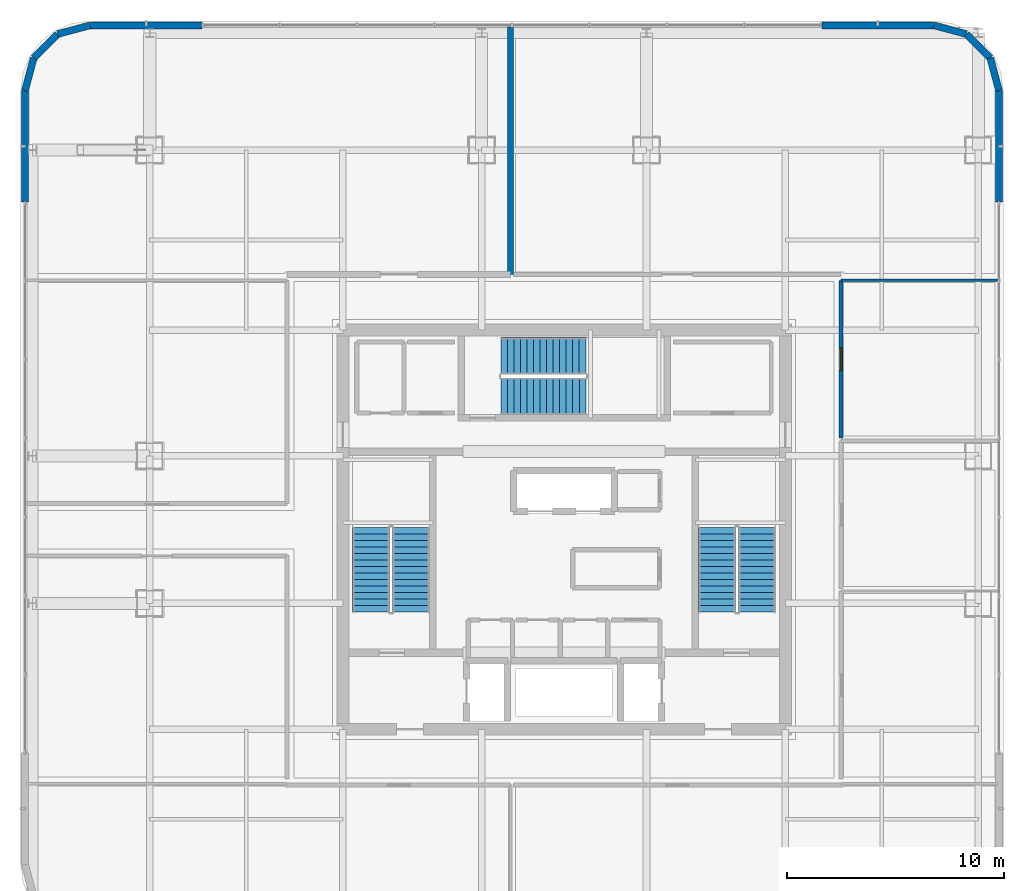
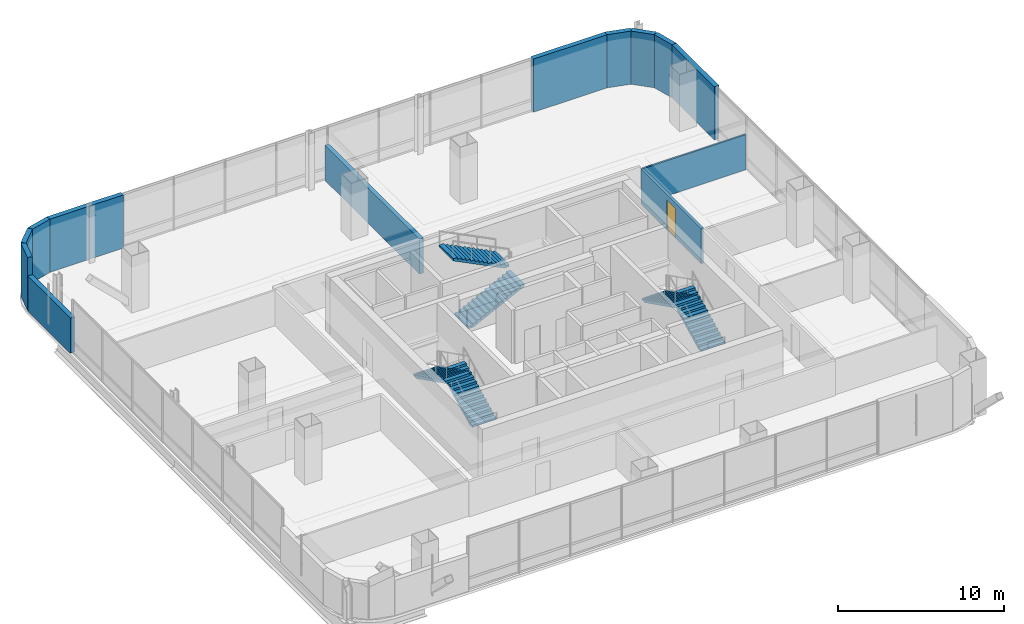
# One storey, part 36 of 51: 13 walls, 6 stair flights, 1 door, 1 opening, 3 elements without a shape of their own.
"""IFC4 building model written with IfcOpenShell, lengths in metres."""

from ifc_helpers import new_model, si_unit, direction, frame, frame_2d, origin, place, context, subcontext, project, spatial, polyline, rectangle, outline, extrude, material, layer, layer_set, type_object, element, fill, aggregate, save


model = new_model("IFC4")

# Units and contexts
model_context = context("Model", 3, precision=1e-05, world=origin(), true_north=direction((0.0, 1.0)))
body_context = subcontext(model_context, "Body", "Model", "MODEL_VIEW")
ifc_project = project(units=[si_unit("LENGTHUNIT", "METRE"), si_unit("AREAUNIT", "SQUARE_METRE"), si_unit("VOLUMEUNIT", "CUBIC_METRE"), si_unit("PLANEANGLEUNIT", "RADIAN"), si_unit("MASSUNIT", "GRAM", prefix="KILO")], contexts=[model_context])

# Site, building, storey
site_placement = place(None, origin())
site = spatial("IfcSite", under=ifc_project, at=site_placement, CompositionType="ELEMENT")
building_placement = place(site_placement, origin())
building = spatial("IfcBuilding", under=site, at=building_placement, Name="Punatoya Terracotta Tower", CompositionType="ELEMENT")
storey_placement = place(building_placement, frame((0.0, 0.0, 313.199951171875)))
storey = spatial("IfcBuildingStorey", under=building, at=storey_placement, Name="L74", CompositionType="ELEMENT", Elevation=313.199951171875)

# Wall
ifc_material_1 = material(Name="Concrete C40/50", Category="concrete")
ifc_layer_1 = layer(ifc_material_1, 0.280029296875)
ifc_layer_set_1 = layer_set([ifc_layer_1], Name="Concrete C40/50")
wall_type_1 = type_object("IfcWallType", Name="WL-AUD-280", PredefinedType="SOLIDWALL", material=ifc_layer_set_1)
wall_1_placement = place(storey_placement, frame((-2.4599609375, 23.169921875, 0.0), z_axis=(0.0, 0.0, 1.0), x_axis=(0.0, -1.0, 0.0)))
element("IfcWall", 1, at=wall_1_placement, inside=storey, type_object=wall_type_1, Name="L74 Fitness Movement Lounge Partition 42", PredefinedType="SOLIDWALL", context=body_context, shape_type="SweptSolid", body=[
    extrude(rectangle(XDim=11.39990234375, YDim=0.280029296875, at=frame_2d((5.699951171875, 0.0))), origin(), (0.0, 0.0, 1.0), 2.593994140625),
])

# Wall, opening, door
ifc_material_2 = material(Name="Gypsum Fireboard + Steel Stud", Category="steel")
ifc_layer_2 = layer(ifc_material_2, 0.179931640625)
ifc_layer_set_2 = layer_set([ifc_layer_2], Name="Gypsum Fireboard + Steel Stud")
wall_type_2 = type_object("IfcWallType", Name="WL-CORR-180", PredefinedType="PARTITIONING", material=ifc_layer_set_2)
wall_2_placement = place(storey_placement, frame((12.77001953125, 4.218017578125, 0.0), z_axis=(0.0, 0.0, 1.0), x_axis=(0.0, 1.0, 0.0)))
wall_2 = element("IfcWall", 2, at=wall_2_placement, inside=storey, type_object=wall_type_2, Name="L74 Cultural Reading Library Partition 41", PredefinedType="PARTITIONING", context=body_context, shape_type="SweptSolid", body=[
    extrude(rectangle(XDim=7.27197265625, YDim=0.179931640625, at=frame_2d((3.635986328125, 0.0))), origin(), (0.0, 0.0, 1.0), 2.593994140625),
])
opening_placement = place(wall_2_placement, frame((3.111083984375, 0.0, 0.0)))
opening = element("IfcOpeningElement", 3, at=opening_placement, cuts=wall_2, Name="Opening OD-01", PredefinedType="OPENING", context=body_context, shape_type="SweptSolid", body=[
    extrude(rectangle(XDim=1.050048828125, YDim=2.199951171875, at=frame_2d((0.52490234375, 1.10009765625))), frame((0.0, 0.099853515625, 0.0), z_axis=(0.0, -1.0, 0.0), x_axis=(1.0, 0.0, 0.0)), (0.0, 0.0, 1.0), 0.199951171875),
])
ifc_material_3 = material(Name="Bengal Teak Solid-Core Leaf")
door_type = type_object("IfcDoorType", Name="DR-OFF-1050", OperationType="NOTDEFINED", PredefinedType="DOOR", material=ifc_material_3)
door_placement = place(opening_placement, origin())
door = element("IfcDoor", 4, at=door_placement, inside=storey, type_object=door_type, Name="L74 Cultural Reading Library Door", OperationType="SINGLE_SWING_LEFT", OverallHeight=2.199951171875, OverallWidth=1.050048828125, PredefinedType="DOOR", context=body_context, shape_type="SweptSolid", body=[
    extrude(rectangle(XDim=1.050048828125, YDim=2.199951171875, at=frame_2d((0.52490234375, 1.10009765625))), frame((0.0, 0.02490234375, 0.0), z_axis=(0.0, -1.0, 0.0), x_axis=(1.0, 0.0, 0.0)), (0.0, 0.0, 1.0), 0.050048828125),
])
fill(opening, door)

# Walls
ifc_material_4 = material(Name="Precast concrete C40/50", Category="concrete")
ifc_layer_3 = layer(ifc_material_4, 0.320068359375)
ifc_layer_set_3 = layer_set([ifc_layer_3], Name="Precast concrete C40/50")
wall_type_3 = type_object("IfcWallType", Name="WL-EXT-320", PredefinedType="SOLIDWALL", material=ifc_layer_set_3)
wall_3_placement = place(storey_placement, frame((20.050048828125, 15.10009765625, 0.0), z_axis=(0.0, 0.0, 1.0), x_axis=(0.0, 1.0, 0.0)))
element("IfcWall", 5, at=wall_3_placement, inside=storey, type_object=wall_type_3, Name="L74 Terracotta Braced Facade Wall E2", PredefinedType="SOLIDWALL", context=body_context, shape_type="SweptSolid", body=[
    extrude(rectangle(XDim=5.13671875, YDim=0.320068359375, at=frame_2d((2.568359375, 0.0))), origin(), (0.0, 0.0, 1.0), 3.920166015625),
])
wall_4_placement = place(storey_placement, frame((20.050048828125, 20.23681640625, 0.0), z_axis=(0.0, 0.0, 1.0), x_axis=(-0.257847112249, 0.966185730957, 0.0)))
element("IfcWall", 6, at=wall_4_placement, inside=storey, type_object=wall_type_3, Name="L74 Rounded Terracotta Corner Pier 06", PredefinedType="SOLIDWALL", context=body_context, shape_type="SweptSolid", body=[
    extrude(rectangle(XDim=1.565185546875, YDim=0.320068359375, at=frame_2d((0.78271484375, 0.0))), origin(), (0.0, 0.0, 1.0), 3.920166015625),
])
wall_5_placement = place(storey_placement, frame((19.646484375, 21.7490234375, 0.0), z_axis=(0.0, 0.0, 1.0), x_axis=(-0.707028130747, 0.707185422879, 0.0)))
element("IfcWall", 7, at=wall_5_placement, inside=storey, type_object=wall_type_3, Name="L74 Rounded Terracotta Corner Pier 07", PredefinedType="SOLIDWALL", context=body_context, shape_type="SweptSolid", body=[
    extrude(rectangle(XDim=1.55224609375, YDim=0.320068359375, at=frame_2d((0.776123046875, 0.0))), origin(), (0.0, 0.0, 1.0), 3.920166015625),
])
wall_6_placement = place(storey_placement, frame((18.549072265625, 22.8466796875, 0.0), z_axis=(0.0, 0.0, 1.0), x_axis=(-0.966224582397, 0.257701486942, 0.0)))
element("IfcWall", 8, at=wall_6_placement, inside=storey, type_object=wall_type_3, Name="L74 Rounded Terracotta Corner Pier 08", PredefinedType="SOLIDWALL", context=body_context, shape_type="SweptSolid", body=[
    extrude(rectangle(XDim=1.565185546875, YDim=0.320068359375, at=frame_2d((0.78271484375, 0.0))), origin(), (0.0, 0.0, 1.0), 3.920166015625),
])
for number, where, z_axis, x_axis, name in (
    (9, (17.036865234375, 23.25, 0.0), (0.0, 0.0, 1.0), (-1.0, 0.0, 0.0), "L74 Terracotta Braced Facade Wall N1"),
    (10, (-16.699951171875, 23.25, 0.0), (0.0, 0.0, 1.0), (-1.0, 0.0, 0.0), "L74 Terracotta Braced Facade Wall N2"),
):
    element("IfcWall", number, at=place(storey_placement, frame(where, z_axis=z_axis, x_axis=x_axis)), inside=storey, type_object=wall_type_3, Name=name, PredefinedType="SOLIDWALL", context=body_context, shape_type="SweptSolid", body=[
        extrude(rectangle(XDim=5.136962890625, YDim=0.320068359375, at=frame_2d((2.568359375, 0.0))), origin(), (0.0, 0.0, 1.0), 3.920166015625),
    ])
wall_7_placement = place(storey_placement, frame((-21.8369140625, 23.25, 0.0), z_axis=(0.0, 0.0, 1.0), x_axis=(-0.966224582397, -0.257701486942, 0.0)))
element("IfcWall", 11, at=wall_7_placement, inside=storey, type_object=wall_type_3, Name="L74 Rounded Terracotta Corner Pier 10", PredefinedType="SOLIDWALL", context=body_context, shape_type="SweptSolid", body=[
    extrude(rectangle(XDim=1.565185546875, YDim=0.320068359375, at=frame_2d((0.78271484375, 0.0))), origin(), (0.0, 0.0, 1.0), 3.920166015625),
])
wall_8_placement = place(storey_placement, frame((-23.34912109375, 22.8466796875, 0.0), z_axis=(0.0, 0.0, 1.0), x_axis=(-0.707028130747, -0.707185422879, 0.0)))
element("IfcWall", 12, at=wall_8_placement, inside=storey, type_object=wall_type_3, Name="L74 Rounded Terracotta Corner Pier 11", PredefinedType="SOLIDWALL", context=body_context, shape_type="SweptSolid", body=[
    extrude(rectangle(XDim=1.55224609375, YDim=0.320068359375, at=frame_2d((0.776123046875, 0.0))), origin(), (0.0, 0.0, 1.0), 3.920166015625),
])
wall_9_placement = place(storey_placement, frame((-24.446533203125, 21.7490234375, 0.0), z_axis=(0.0, 0.0, 1.0), x_axis=(-0.257847112249, -0.966185730957, 0.0)))
element("IfcWall", 13, at=wall_9_placement, inside=storey, type_object=wall_type_3, Name="L74 Rounded Terracotta Corner Pier 12", PredefinedType="SOLIDWALL", context=body_context, shape_type="SweptSolid", body=[
    extrude(rectangle(XDim=1.565185546875, YDim=0.320068359375, at=frame_2d((0.78271484375, 0.0))), origin(), (0.0, 0.0, 1.0), 3.920166015625),
])
wall_10_placement = place(storey_placement, frame((-24.85009765625, 20.23681640625, 0.0), z_axis=(0.0, 0.0, 1.0), x_axis=(0.0, -1.0, 0.0)))
element("IfcWall", 14, at=wall_10_placement, inside=storey, type_object=wall_type_3, Name="L74 Terracotta Braced Facade Wall W1", PredefinedType="SOLIDWALL", context=body_context, shape_type="SweptSolid", body=[
    extrude(rectangle(XDim=5.13671875, YDim=0.320068359375, at=frame_2d((2.568359375, 0.0))), origin(), (0.0, 0.0, 1.0), 2.593994140625),
])
ifc_material_5 = material(Name="Gypsum Partition + Steel Stud", Category="steel")
ifc_layer_4 = layer(ifc_material_5, 0.1201171875)
ifc_layer_set_4 = layer_set([ifc_layer_4], Name="Gypsum Partition + Steel Stud")
wall_type_4 = type_object("IfcWallType", Name="WL-OFF-120", PredefinedType="PARTITIONING", material=ifc_layer_set_4)
wall_11_placement = place(storey_placement, frame((12.77001953125, 11.489990234375, 0.0), z_axis=(0.0, 0.0, 1.0), x_axis=(1.0, 0.0, 0.0)))
element("IfcWall", 15, at=wall_11_placement, inside=storey, type_object=wall_type_4, Name="L74 Cultural Reading Library Partition 40", PredefinedType="PARTITIONING", context=body_context, shape_type="SweptSolid", body=[
    extrude(rectangle(XDim=7.199951171875, YDim=0.1201171875, at=frame_2d((3.60009765625, 0.0))), origin(), (0.0, 0.0, 1.0), 2.593994140625),
])

# Stair, stair flights
stair_type_1 = type_object("IfcStairType", Name="STR-CORE-1550", PredefinedType="HALF_TURN_STAIR", material=ifc_material_1)
stair_1_placement = place(storey_placement, origin())
stair_1 = element("IfcStair", 16, at=stair_1_placement, inside=storey, type_object=stair_type_1, Name="L74 Protected Core Exit Stair ST-1", PredefinedType="HALF_TURN_STAIR")
stair_flight_type_1 = type_object("IfcStairFlightType", Name="SFL-CORE-1550", PredefinedType="STRAIGHT", material=ifc_material_1)
stair_flight_1_placement = place(storey_placement, frame((-7.050048828125, -3.800048828125, 0.0), z_axis=(0.0, 0.0, 1.0), x_axis=(0.0, 1.0, 0.0)))
stair_flight_1 = element("IfcStairFlight", 17, at=stair_flight_1_placement, type_object=stair_flight_type_1, Name="ST-1 flight 1", NumberOfRisers=14, NumberOfTreads=13, PredefinedType="STRAIGHT", RiserHeight=0.15, TreadLength=0.3, context=body_context, shape_type="SweptSolid", body=[
    extrude(outline(polyline([(0.0, 0.0), (0.0, 0.14990234375), (0.300048828125, 0.14990234375), (0.300048828125, 0.300048828125), (0.60009765625, 0.300048828125), (0.60009765625, 0.449951171875), (0.89990234375, 0.449951171875), (0.89990234375, 0.60009765625), (1.199951171875, 0.60009765625), (1.199951171875, 0.75), (1.5, 0.75), (1.5, 0.89990234375), (1.800048828125, 0.89990234375), (1.800048828125, 1.050048828125), (2.10009765625, 1.050048828125), (2.10009765625, 1.199951171875), (2.39990234375, 1.199951171875), (2.39990234375, 1.35009765625), (2.699951171875, 1.35009765625), (2.699951171875, 1.5), (3.0, 1.5), (3.0, 1.64990234375), (3.300048828125, 1.64990234375), (3.300048828125, 1.800048828125), (3.60009765625, 1.800048828125), (3.60009765625, 1.949951171875), (3.89990234375, 1.949951171875), (3.89990234375, 2.10009765625), (3.89990234375, 1.782470703125), (0.335205078125, 0.0), (0.0, 0.0)])), frame((0.0, 0.85009765625, 0.0), z_axis=(0.0, -1.0, 0.0), x_axis=(1.0, 0.0, 0.0)), (0.0, 0.0, 1.0), 1.699951171875),
])
stair_flight_2_placement = place(storey_placement, frame((-8.89990234375, 0.10009765625, 2.10009765625), z_axis=(0.0, 0.0, 1.0), x_axis=(0.0, -1.0, 0.0)))
stair_flight_2 = element("IfcStairFlight", 18, at=stair_flight_2_placement, type_object=stair_flight_type_1, Name="ST-1 flight 2", NumberOfRisers=14, NumberOfTreads=13, PredefinedType="STRAIGHT", RiserHeight=0.15, TreadLength=0.3, context=body_context, shape_type="SweptSolid", body=[
    extrude(outline(polyline([(0.0, 0.0), (0.0, 0.14990234375), (0.300048828125, 0.14990234375), (0.300048828125, 0.300048828125), (0.60009765625, 0.300048828125), (0.60009765625, 0.449951171875), (0.89990234375, 0.449951171875), (0.89990234375, 0.60009765625), (1.199951171875, 0.60009765625), (1.199951171875, 0.75), (1.5, 0.75), (1.5, 0.89990234375), (1.800048828125, 0.89990234375), (1.800048828125, 1.050048828125), (2.10009765625, 1.050048828125), (2.10009765625, 1.199951171875), (2.39990234375, 1.199951171875), (2.39990234375, 1.35009765625), (2.699951171875, 1.35009765625), (2.699951171875, 1.5), (3.0, 1.5), (3.0, 1.64990234375), (3.300048828125, 1.64990234375), (3.300048828125, 1.800048828125), (3.60009765625, 1.800048828125), (3.60009765625, 1.949951171875), (3.89990234375, 1.949951171875), (3.89990234375, 2.10009765625), (3.89990234375, 1.782470703125), (0.335205078125, 0.0), (0.0, 0.0)])), frame((0.0, 0.85009765625, 0.0), z_axis=(0.0, -1.0, 0.0), x_axis=(1.0, 0.0, 0.0)), (0.0, 0.0, 1.0), 1.699951171875),
])
aggregate(stair_1, [stair_flight_1, stair_flight_2])

stair_type_2 = type_object("IfcStairType", Name="STR-LOB-1650", PredefinedType="HALF_TURN_STAIR", material=ifc_material_1)
stair_2_placement = place(storey_placement, origin())
stair_2 = element("IfcStair", 19, at=stair_2_placement, inside=storey, type_object=stair_type_2, Name="L74 Protected Core Exit Stair ST-2", PredefinedType="HALF_TURN_STAIR")
stair_flight_type_2 = type_object("IfcStairFlightType", Name="SFL-LOB-1650", PredefinedType="STRAIGHT", material=ifc_material_1)
stair_flight_3_placement = place(storey_placement, frame((8.89990234375, -3.800048828125, 0.0), z_axis=(0.0, 0.0, 1.0), x_axis=(0.0, 1.0, 0.0)))
stair_flight_3 = element("IfcStairFlight", 20, at=stair_flight_3_placement, type_object=stair_flight_type_2, Name="ST-2 flight 1", NumberOfRisers=14, NumberOfTreads=13, PredefinedType="STRAIGHT", RiserHeight=0.15, TreadLength=0.3, context=body_context, shape_type="SweptSolid", body=[
    extrude(outline(polyline([(0.0, 0.0), (0.0, 0.14990234375), (0.300048828125, 0.14990234375), (0.300048828125, 0.300048828125), (0.60009765625, 0.300048828125), (0.60009765625, 0.449951171875), (0.89990234375, 0.449951171875), (0.89990234375, 0.60009765625), (1.199951171875, 0.60009765625), (1.199951171875, 0.75), (1.5, 0.75), (1.5, 0.89990234375), (1.800048828125, 0.89990234375), (1.800048828125, 1.050048828125), (2.10009765625, 1.050048828125), (2.10009765625, 1.199951171875), (2.39990234375, 1.199951171875), (2.39990234375, 1.35009765625), (2.699951171875, 1.35009765625), (2.699951171875, 1.5), (3.0, 1.5), (3.0, 1.64990234375), (3.300048828125, 1.64990234375), (3.300048828125, 1.800048828125), (3.60009765625, 1.800048828125), (3.60009765625, 1.949951171875), (3.89990234375, 1.949951171875), (3.89990234375, 2.10009765625), (3.89990234375, 1.782470703125), (0.335205078125, 0.0), (0.0, 0.0)])), frame((0.0, 0.85009765625, 0.0), z_axis=(0.0, -1.0, 0.0), x_axis=(1.0, 0.0, 0.0)), (0.0, 0.0, 1.0), 1.699951171875),
])
stair_flight_4_placement = place(storey_placement, frame((7.050048828125, 0.10009765625, 2.10009765625), z_axis=(0.0, 0.0, 1.0), x_axis=(0.0, -1.0, 0.0)))
stair_flight_4 = element("IfcStairFlight", 21, at=stair_flight_4_placement, type_object=stair_flight_type_2, Name="ST-2 flight 2", NumberOfRisers=14, NumberOfTreads=13, PredefinedType="STRAIGHT", RiserHeight=0.15, TreadLength=0.3, context=body_context, shape_type="SweptSolid", body=[
    extrude(outline(polyline([(0.0, 0.0), (0.0, 0.14990234375), (0.300048828125, 0.14990234375), (0.300048828125, 0.300048828125), (0.60009765625, 0.300048828125), (0.60009765625, 0.449951171875), (0.89990234375, 0.449951171875), (0.89990234375, 0.60009765625), (1.199951171875, 0.60009765625), (1.199951171875, 0.75), (1.5, 0.75), (1.5, 0.89990234375), (1.800048828125, 0.89990234375), (1.800048828125, 1.050048828125), (2.10009765625, 1.050048828125), (2.10009765625, 1.199951171875), (2.39990234375, 1.199951171875), (2.39990234375, 1.35009765625), (2.699951171875, 1.35009765625), (2.699951171875, 1.5), (3.0, 1.5), (3.0, 1.64990234375), (3.300048828125, 1.64990234375), (3.300048828125, 1.800048828125), (3.60009765625, 1.800048828125), (3.60009765625, 1.949951171875), (3.89990234375, 1.949951171875), (3.89990234375, 2.10009765625), (3.89990234375, 1.782470703125), (0.335205078125, 0.0), (0.0, 0.0)])), frame((0.0, 0.85009765625, 0.0), z_axis=(0.0, -1.0, 0.0), x_axis=(1.0, 0.0, 0.0)), (0.0, 0.0, 1.0), 1.699951171875),
])
aggregate(stair_2, [stair_flight_3, stair_flight_4])

stair_type_3 = type_object("IfcStairType", Name="STR-TER-1450", PredefinedType="HALF_TURN_STAIR", material=ifc_material_1)
stair_3_placement = place(storey_placement, origin())
stair_3 = element("IfcStair", 22, at=stair_3_placement, inside=storey, type_object=stair_type_3, Name="L74 Protected Core Exit Stair ST-3", PredefinedType="HALF_TURN_STAIR")
stair_flight_type_3 = type_object("IfcStairFlightType", Name="SFL-TER-1450", PredefinedType="STRAIGHT", material=ifc_material_1)
stair_flight_5_placement = place(storey_placement, frame((-2.89990234375, 6.14990234375, 0.0), z_axis=(0.0, 0.0, 1.0), x_axis=(1.0, 0.0, 0.0)))
stair_flight_5 = element("IfcStairFlight", 23, at=stair_flight_5_placement, type_object=stair_flight_type_3, Name="ST-3 flight 1", NumberOfRisers=14, NumberOfTreads=13, PredefinedType="STRAIGHT", RiserHeight=0.15, TreadLength=0.3, context=body_context, shape_type="SweptSolid", body=[
    extrude(outline(polyline([(0.0, 0.0), (0.0, 0.14990234375), (0.300048828125, 0.14990234375), (0.300048828125, 0.300048828125), (0.60009765625, 0.300048828125), (0.60009765625, 0.449951171875), (0.89990234375, 0.449951171875), (0.89990234375, 0.60009765625), (1.199951171875, 0.60009765625), (1.199951171875, 0.75), (1.5, 0.75), (1.5, 0.89990234375), (1.800048828125, 0.89990234375), (1.800048828125, 1.050048828125), (2.10009765625, 1.050048828125), (2.10009765625, 1.199951171875), (2.39990234375, 1.199951171875), (2.39990234375, 1.35009765625), (2.699951171875, 1.35009765625), (2.699951171875, 1.5), (3.0, 1.5), (3.0, 1.64990234375), (3.300048828125, 1.64990234375), (3.300048828125, 1.800048828125), (3.60009765625, 1.800048828125), (3.60009765625, 1.949951171875), (3.89990234375, 1.949951171875), (3.89990234375, 2.10009765625), (3.89990234375, 1.782470703125), (0.335205078125, 0.0), (0.0, 0.0)])), frame((0.0, 0.85009765625, 0.0), z_axis=(0.0, -1.0, 0.0), x_axis=(1.0, 0.0, 0.0)), (0.0, 0.0, 1.0), 1.699951171875),
])
stair_flight_6_placement = place(storey_placement, frame((1.0, 8.0, 2.10009765625), z_axis=(0.0, 0.0, 1.0), x_axis=(-1.0, 0.0, 0.0)))
stair_flight_6 = element("IfcStairFlight", 24, at=stair_flight_6_placement, type_object=stair_flight_type_3, Name="ST-3 flight 2", NumberOfRisers=14, NumberOfTreads=13, PredefinedType="STRAIGHT", RiserHeight=0.15, TreadLength=0.3, context=body_context, shape_type="SweptSolid", body=[
    extrude(outline(polyline([(0.0, 0.0), (0.0, 0.14990234375), (0.300048828125, 0.14990234375), (0.300048828125, 0.300048828125), (0.60009765625, 0.300048828125), (0.60009765625, 0.449951171875), (0.89990234375, 0.449951171875), (0.89990234375, 0.60009765625), (1.199951171875, 0.60009765625), (1.199951171875, 0.75), (1.5, 0.75), (1.5, 0.89990234375), (1.800048828125, 0.89990234375), (1.800048828125, 1.050048828125), (2.10009765625, 1.050048828125), (2.10009765625, 1.199951171875), (2.39990234375, 1.199951171875), (2.39990234375, 1.35009765625), (2.699951171875, 1.35009765625), (2.699951171875, 1.5), (3.0, 1.5), (3.0, 1.64990234375), (3.300048828125, 1.64990234375), (3.300048828125, 1.800048828125), (3.60009765625, 1.800048828125), (3.60009765625, 1.949951171875), (3.89990234375, 1.949951171875), (3.89990234375, 2.10009765625), (3.89990234375, 1.782470703125), (0.335205078125, 0.0), (0.0, 0.0)])), frame((0.0, 0.85009765625, 0.0), z_axis=(0.0, -1.0, 0.0), x_axis=(1.0, 0.0, 0.0)), (0.0, 0.0, 1.0), 1.699951171875),
])
aggregate(stair_3, [stair_flight_5, stair_flight_6])

save(model, "model.ifc")
